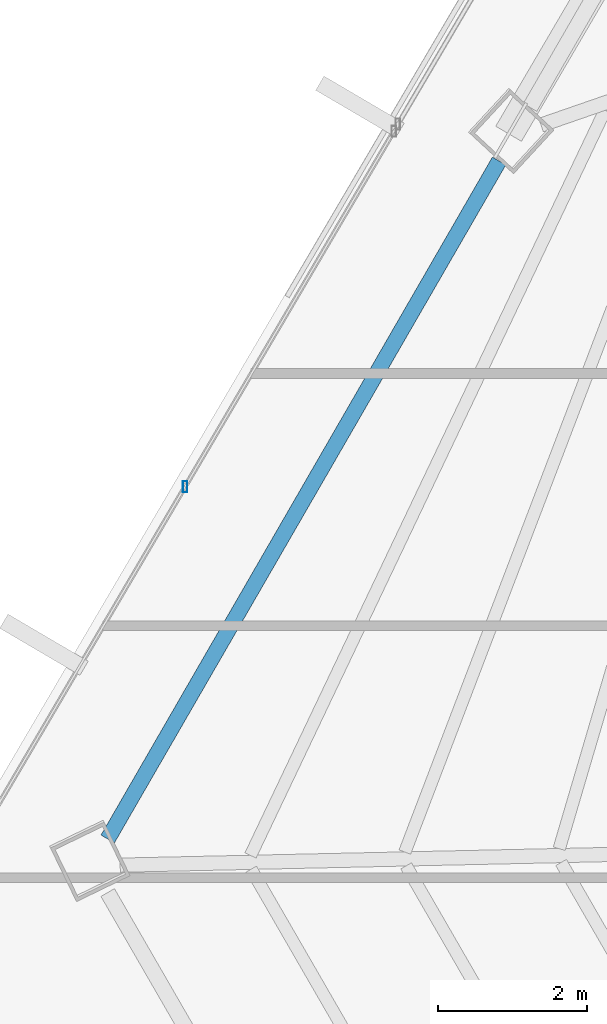
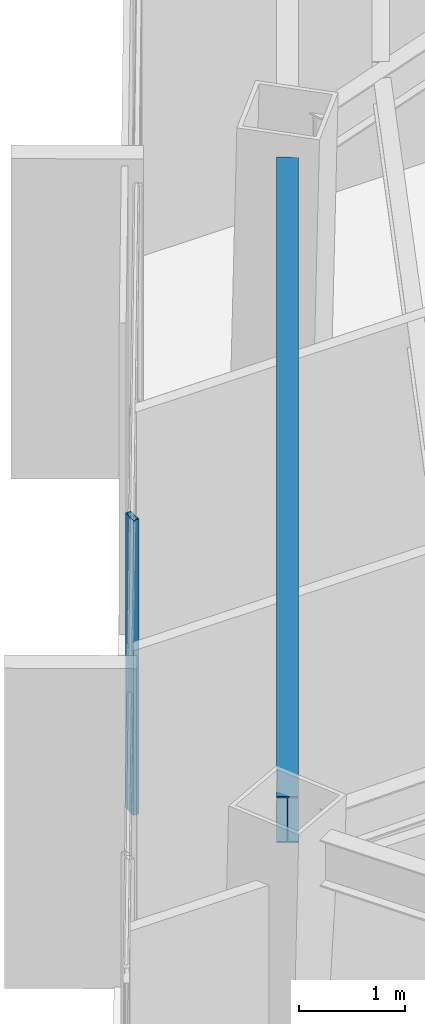
# One storey, part 9 of 42: 1 beam, 1 member, 1 element without a shape of its own.
"""IFC4 building model written with IfcOpenShell, lengths in metres."""

from ifc_helpers import new_model, si_unit, direction, frame, origin, origin_2d, place, context, subcontext, project, spatial, hollow_rectangle, i_section, extrude, source, transform, mapped, material, material_profile, profile_set, type_object, type_shapes, element, aggregate, save


model = new_model("IFC4")

# Units and contexts
model_context = context("Model", 3, precision=1e-05, world=origin(), true_north=direction((0.0, 1.0)))
body_context = subcontext(model_context, "Body", "Model", "MODEL_VIEW")
ifc_project = project(units=[si_unit("LENGTHUNIT", "METRE"), si_unit("AREAUNIT", "SQUARE_METRE"), si_unit("VOLUMEUNIT", "CUBIC_METRE"), si_unit("PLANEANGLEUNIT", "RADIAN"), si_unit("MASSUNIT", "GRAM", prefix="KILO")], contexts=[model_context])

# Site, building, storey
site_placement = place(None, origin())
site = spatial("IfcSite", under=ifc_project, at=site_placement, CompositionType="ELEMENT")
building_placement = place(site_placement, origin())
building = spatial("IfcBuilding", under=site, at=building_placement, Name="Caelisora Broadcast Tower", CompositionType="ELEMENT")
storey_placement = place(building_placement, frame((0.0, 0.0, 202.300048828125)))
storey = spatial("IfcBuildingStorey", under=building, at=storey_placement, Name="L53", CompositionType="ELEMENT", Elevation=202.300048828125)

# Beam
ifc_material_1 = material(Name="Steel Grade 350 (AS/NZS 3679.1)", Category="steel")
ifc_material_profile_1 = material_profile(ifc_material_1, i_section(OverallWidth=0.208984375, OverallDepth=0.532958984375, WebThickness=0.01025390625, FlangeThickness=0.015625, at=origin_2d()), Name="Steel Grade 350 (AS/NZS 3679.1)")
ifc_profile_set_1 = profile_set([ifc_material_profile_1], Name="Steel Grade 350 (AS/NZS 3679.1)")
beam_type = type_object("IfcBeamType", Name="PG05", PredefinedType="BEAM", material=ifc_profile_set_1)
shared_shape_1 = source(origin(), body_context, "Body", "SweptSolid", [
    extrude(i_section(OverallWidth=0.208984375, OverallDepth=0.532958984375, WebThickness=0.01025390625, FlangeThickness=0.015625, at=origin_2d()), origin(), (0.0, 0.0, 1.0), 10.52392578125),
])
type_shapes(beam_type, [shared_shape_1])
beam_placement = place(storey_placement, frame((21.384521484375, 26.555908203125, 3.133544921875), z_axis=(-0.499998905622, -0.866026035623, 0.0), x_axis=(0.866026035623, -0.499998905622, 0.0)))
element("IfcBeam", 1, at=beam_placement, inside=storey, type_object=beam_type, Name="L53 beam PG05", PredefinedType="BEAM", context=body_context, shape_type="MappedRepresentation", body=[
    mapped(shared_shape_1, transform((0.0, 0.0, 0.0), scale=1.0)),
])

# Curtain wall, member
ifc_material_2 = material(Name="Unitised Aluminium and Low-E Glass Curtain Wall", Category="glass")
curtain_wall_type = type_object("IfcCurtainWallType", Name="CW-Z4", PredefinedType="NOTDEFINED", material=ifc_material_2)
curtain_wall_placement = place(storey_placement, origin())
curtain_wall = element("IfcCurtainWall", 2, at=curtain_wall_placement, inside=storey, type_object=curtain_wall_type, Name="L53 curtain wall CW-Z4", PredefinedType="NOTDEFINED")
ifc_material_3 = material(Name="Aluminium 6063-T6 Anodised Terracotta Bronze", Category="aluminium")
ifc_material_profile_2 = material_profile(ifc_material_3, hollow_rectangle(XDim=0.06005859375, YDim=0.14990234375, WallThickness=0.00341796875, at=origin_2d()), Name="Aluminium 6063-T6 Anodised Terracotta Bronze")
ifc_profile_set_2 = profile_set([ifc_material_profile_2], Name="Aluminium 6063-T6 Anodised Terracotta Bronze")
member_type = type_object("IfcMemberType", Name="CWM-03", PredefinedType="MULLION", material=ifc_profile_set_2)
shared_shape_2 = source(origin(), body_context, "Body", "SweptSolid", [
    extrude(hollow_rectangle(XDim=0.06005859375, YDim=0.14990234375, WallThickness=0.00341796875, at=origin_2d()), origin(), (0.0, 0.0, 1.0), 3.39990234375),
])
type_shapes(member_type, [shared_shape_2])
member_placement = place(storey_placement, frame((17.162841796875, 22.177734375, 0.0), z_axis=(0.0, 0.0, 1.0), x_axis=(1.0, 0.0, 0.0)))
member = element("IfcMember", 3, at=member_placement, type_object=member_type, Name="L53-CW-B09 mullion #2", PredefinedType="MULLION", context=body_context, shape_type="MappedRepresentation", body=[
    mapped(shared_shape_2, transform((0.0, 0.0, 0.0), scale=1.0)),
])
aggregate(curtain_wall, [member])

save(model, "model.ifc")
